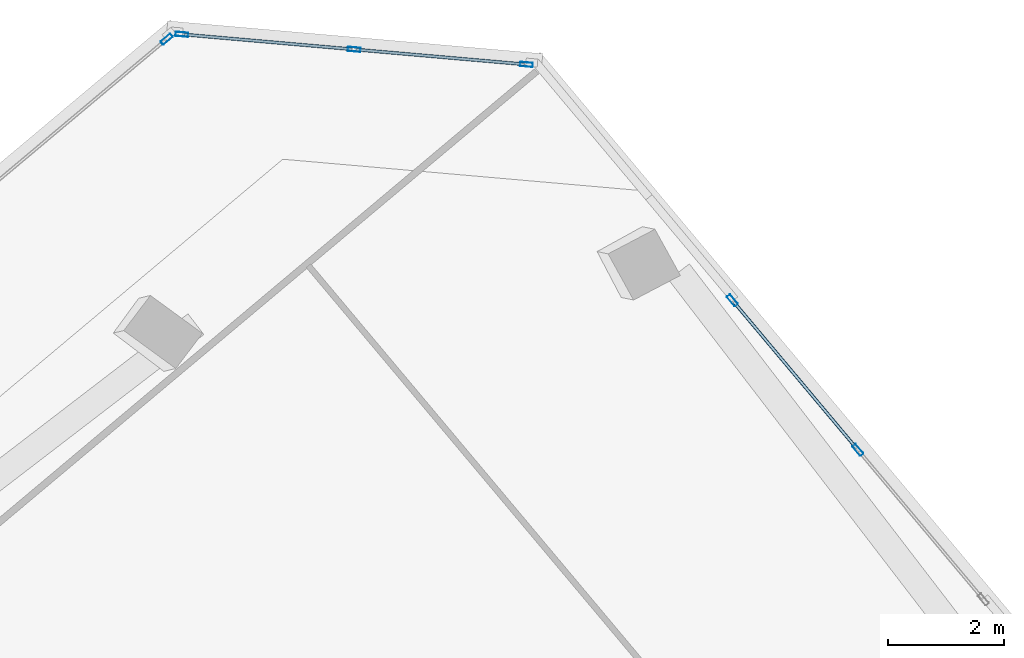
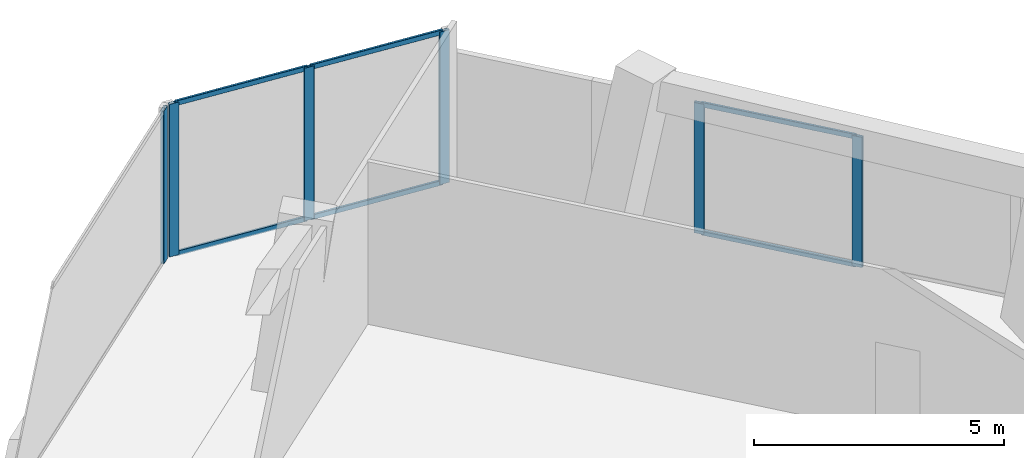
# One storey, part 10 of 17: 12 members, 3 elements without a shape of their own.
"""IFC4 building model written with IfcOpenShell, lengths in metres."""

from ifc_helpers import new_model, si_unit, direction, frame, origin, origin_2d, place, context, subcontext, project, spatial, hollow_rectangle, extrude, source, transform, mapped, material, material_profile, profile_set, type_object, element, aggregate, save


model = new_model("IFC4")

# Units and contexts
model_context = context("Model", 3, precision=1e-05, world=origin(), true_north=direction((0.0, 1.0)))
body_context = subcontext(model_context, "Body", "Model", "MODEL_VIEW")
ifc_project = project(units=[si_unit("LENGTHUNIT", "METRE"), si_unit("AREAUNIT", "SQUARE_METRE"), si_unit("VOLUMEUNIT", "CUBIC_METRE"), si_unit("PLANEANGLEUNIT", "RADIAN"), si_unit("MASSUNIT", "GRAM", prefix="KILO")], contexts=[model_context])

# Site, building, storey
site_placement = place(None, origin())
site = spatial("IfcSite", under=ifc_project, at=site_placement, CompositionType="ELEMENT")
building_placement = place(site_placement, origin())
building = spatial("IfcBuilding", under=site, at=building_placement, Name="Torre Montelarca", CompositionType="ELEMENT")
storey_placement = place(building_placement, frame((0.0, 0.0, 275.199951171875)))
storey = spatial("IfcBuildingStorey", under=building, at=storey_placement, Name="L62", CompositionType="ELEMENT", Elevation=275.199951171875)

# Curtain wall, members
ifc_material_1 = material(Name="Insulated low-E laminated glass", Category="glass")
curtain_wall_type = type_object("IfcCurtainWallType", Name="CW-SYS-Z3", PredefinedType="USERDEFINED", material=ifc_material_1)
curtain_wall_1_placement = place(storey_placement, origin())
curtain_wall_1 = element("IfcCurtainWall", 1, at=curtain_wall_1_placement, inside=storey, type_object=curtain_wall_type, Name="L62 Curtain Wall Run CW-T3-L62-E09-B1", ObjectType="UNITISED GLAZING", PredefinedType="USERDEFINED")
ifc_material_2 = material(Name="Anodised aluminium AA 6063-T6", Category="aluminium")
ifc_material_profile_1 = material_profile(ifc_material_2, hollow_rectangle(XDim=0.054931640625, YDim=0.1201171875, WallThickness=0.00341796875, InnerFilletRadius=0.00341796875, OuterFilletRadius=0.007080078125, at=origin_2d()), Name="ALU55X120X3.5", Category="aluminium")
ifc_profile_set_1 = profile_set([ifc_material_profile_1], Name="Anodised aluminium AA 6063-T6")
member_type_1 = type_object("IfcMemberType", Name="CWT-ALU120", PredefinedType="USERDEFINED", material=ifc_profile_set_1)
shared_shape_1 = source(origin(), body_context, "Body", "SweptSolid", [
    extrude(hollow_rectangle(XDim=0.054931640625, YDim=0.1201171875, WallThickness=0.00341796875, InnerFilletRadius=0.00341796875, OuterFilletRadius=0.007080078125, at=origin_2d()), origin(), (0.0, 0.0, 1.0), 2.903564453125),
])
member_1_placement = place(storey_placement, frame((23.24560546875, 54.714599609375, 0.027587890625), z_axis=(-0.996198826652, 0.08710854021, 0.0), x_axis=(-0.08710854021, -0.996198826652, 0.0)))
member_1 = element("IfcMember", 2, at=member_1_placement, type_object=member_type_1, Name="CW transom 1.1", ObjectType="TRANSOM", PredefinedType="USERDEFINED", context=body_context, shape_type="MappedRepresentation", body=[
    mapped(shared_shape_1, transform((0.0, 0.0, 0.0), scale=1.0)),
])
member_2_placement = place(storey_placement, frame((23.24560546875, 54.714599609375, 3.692626953125), z_axis=(-0.996198826652, 0.08710854021, 0.0), x_axis=(-0.08710854021, -0.996198826652, 0.0)))
member_2 = element("IfcMember", 3, at=member_2_placement, type_object=member_type_1, Name="CW transom 1.2", ObjectType="TRANSOM", PredefinedType="USERDEFINED", context=body_context, shape_type="MappedRepresentation", body=[
    mapped(shared_shape_1, transform((0.0, 0.0, 0.0), scale=1.0)),
])
member_3_placement = place(storey_placement, frame((20.278076171875, 54.97412109375, 0.027587890625), z_axis=(-0.996191526826, 0.087191982893, 0.0), x_axis=(-0.087191982893, -0.996191526826, 0.0)))
member_3 = element("IfcMember", 4, at=member_3_placement, type_object=member_type_1, Name="CW transom 2.1", ObjectType="TRANSOM", PredefinedType="USERDEFINED", context=body_context, shape_type="MappedRepresentation", body=[
    mapped(shared_shape_1, transform((0.0, 0.0, 0.0), scale=1.0)),
])
member_4_placement = place(storey_placement, frame((20.278076171875, 54.97412109375, 3.692626953125), z_axis=(-0.996191526826, 0.087191982893, 0.0), x_axis=(-0.087191982893, -0.996191526826, 0.0)))
member_4 = element("IfcMember", 5, at=member_4_placement, type_object=member_type_1, Name="CW transom 2.2", ObjectType="TRANSOM", PredefinedType="USERDEFINED", context=body_context, shape_type="MappedRepresentation", body=[
    mapped(shared_shape_1, transform((0.0, 0.0, 0.0), scale=1.0)),
])
ifc_material_profile_2 = material_profile(ifc_material_2, hollow_rectangle(XDim=0.074951171875, YDim=0.219970703125, WallThickness=0.0048828125, InnerFilletRadius=0.0048828125, OuterFilletRadius=0.010009765625, at=origin_2d()), Name="ALU75X220X5", Category="aluminium")
ifc_profile_set_2 = profile_set([ifc_material_profile_2], Name="Anodised aluminium AA 6063-T6")
member_type_2 = type_object("IfcMemberType", Name="CWM-ALU220", PredefinedType="MULLION", material=ifc_profile_set_2)
shared_shape_2 = source(origin(), body_context, "Body", "SweptSolid", [
    extrude(hollow_rectangle(XDim=0.074951171875, YDim=0.219970703125, WallThickness=0.0048828125, InnerFilletRadius=0.0048828125, OuterFilletRadius=0.010009765625, at=origin_2d()), origin(), (0.0, 0.0, 1.0), 3.719970703125),
])
member_5_placement = place(storey_placement, frame((23.282958984375, 54.711181640625, 0.0), z_axis=(0.0, 0.0, 1.0), x_axis=(-0.087164688188, -0.996193915427, 0.0)))
member_5 = element("IfcMember", 6, at=member_5_placement, type_object=member_type_2, Name="CW mullion 1", PredefinedType="MULLION", context=body_context, shape_type="MappedRepresentation", body=[
    mapped(shared_shape_2, transform((0.0, 0.0, 0.0), scale=1.0)),
])
member_6_placement = place(storey_placement, frame((20.3154296875, 54.970947265625, 0.0), z_axis=(0.0, 0.0, 1.0), x_axis=(-0.087164688188, -0.996193915427, 0.0)))
member_6 = element("IfcMember", 7, at=member_6_placement, type_object=member_type_2, Name="CW mullion 2", PredefinedType="MULLION", context=body_context, shape_type="MappedRepresentation", body=[
    mapped(shared_shape_2, transform((0.0, 0.0, 0.0), scale=1.0)),
])
member_7_placement = place(storey_placement, frame((17.34814453125, 55.23046875, 0.0), z_axis=(0.0, 0.0, 1.0), x_axis=(-0.087164688188, -0.996193915427, 0.0)))
member_7 = element("IfcMember", 8, at=member_7_placement, type_object=member_type_2, Name="CW mullion 3", PredefinedType="MULLION", context=body_context, shape_type="MappedRepresentation", body=[
    mapped(shared_shape_2, transform((0.0, 0.0, 0.0), scale=1.0)),
])
aggregate(curtain_wall_1, [member_5, member_6, member_7, member_1, member_2, member_3, member_4])

# Curtain wall, member
curtain_wall_2_placement = place(storey_placement, origin())
curtain_wall_2 = element("IfcCurtainWall", 9, at=curtain_wall_2_placement, inside=storey, type_object=curtain_wall_type, Name="L62 Curtain Wall Run CW-T3-L62-E10-B1", ObjectType="UNITISED GLAZING", PredefinedType="USERDEFINED")
member_8_placement = place(storey_placement, frame((17.084716796875, 55.1474609375, 0.0), z_axis=(0.0, 0.0, 1.0), x_axis=(0.642788408931, -0.766043772472, 0.0)))
member_8 = element("IfcMember", 10, at=member_8_placement, type_object=member_type_2, Name="CW mullion 1", PredefinedType="MULLION", context=body_context, shape_type="MappedRepresentation", body=[
    mapped(shared_shape_2, transform((0.0, 0.0, 0.0), scale=1.0)),
])
aggregate(curtain_wall_2, [member_8])

# Curtain wall, members
curtain_wall_3_placement = place(storey_placement, origin())
curtain_wall_3 = element("IfcCurtainWall", 11, at=curtain_wall_3_placement, inside=storey, type_object=curtain_wall_type, Name="L62 Curtain Wall Run CW-T3-L62-E08-B2", ObjectType="UNITISED GLAZING", PredefinedType="USERDEFINED")
shared_shape_3 = source(origin(), body_context, "Body", "SweptSolid", [
    extrude(hollow_rectangle(XDim=0.074951171875, YDim=0.219970703125, WallThickness=0.0048828125, InnerFilletRadius=0.0048828125, OuterFilletRadius=0.010009765625, at=origin_2d()), origin(), (0.0, 0.0, 1.0), 3.175048828125),
])
member_9_placement = place(storey_placement, frame((28.990966796875, 48.072998046875, 0.0), z_axis=(0.0, 0.0, 1.0), x_axis=(-0.76604692992, -0.642784646021, 0.0)))
member_9 = element("IfcMember", 12, at=member_9_placement, type_object=member_type_2, Name="CW mullion 2", PredefinedType="MULLION", context=body_context, shape_type="MappedRepresentation", body=[
    mapped(shared_shape_3, transform((0.0, 0.0, 0.0), scale=1.0)),
])
member_10_placement = place(storey_placement, frame((26.829833984375, 50.648681640625, 0.0), z_axis=(0.0, 0.0, 1.0), x_axis=(-0.76604692992, -0.642784646021, 0.0)))
member_10 = element("IfcMember", 13, at=member_10_placement, type_object=member_type_2, Name="CW mullion 3", PredefinedType="MULLION", context=body_context, shape_type="MappedRepresentation", body=[
    mapped(shared_shape_3, transform((0.0, 0.0, 0.0), scale=1.0)),
])
shared_shape_4 = source(origin(), body_context, "Body", "SweptSolid", [
    extrude(hollow_rectangle(XDim=0.054931640625, YDim=0.1201171875, WallThickness=0.00341796875, InnerFilletRadius=0.00341796875, OuterFilletRadius=0.007080078125, at=origin_2d()), origin(), (0.0, 0.0, 1.0), 3.287109375),
])
member_11_placement = place(storey_placement, frame((28.966796875, 48.101806640625, 0.027587890625), z_axis=(-0.642766967415, 0.766061763568, 0.0), x_axis=(-0.766061763568, -0.642766967415, 0.0)))
member_11 = element("IfcMember", 14, at=member_11_placement, type_object=member_type_1, Name="CW transom 2.1", ObjectType="TRANSOM", PredefinedType="USERDEFINED", context=body_context, shape_type="MappedRepresentation", body=[
    mapped(shared_shape_4, transform((0.0, 0.0, 0.0), scale=1.0)),
])
member_12_placement = place(storey_placement, frame((28.966796875, 48.101806640625, 3.1474609375), z_axis=(-0.642766967415, 0.766061763568, 0.0), x_axis=(-0.766061763568, -0.642766967415, 0.0)))
member_12 = element("IfcMember", 15, at=member_12_placement, type_object=member_type_1, Name="CW transom 2.2", ObjectType="TRANSOM", PredefinedType="USERDEFINED", context=body_context, shape_type="MappedRepresentation", body=[
    mapped(shared_shape_4, transform((0.0, 0.0, 0.0), scale=1.0)),
])
aggregate(curtain_wall_3, [member_9, member_10, member_11, member_12])

save(model, "model.ifc")
